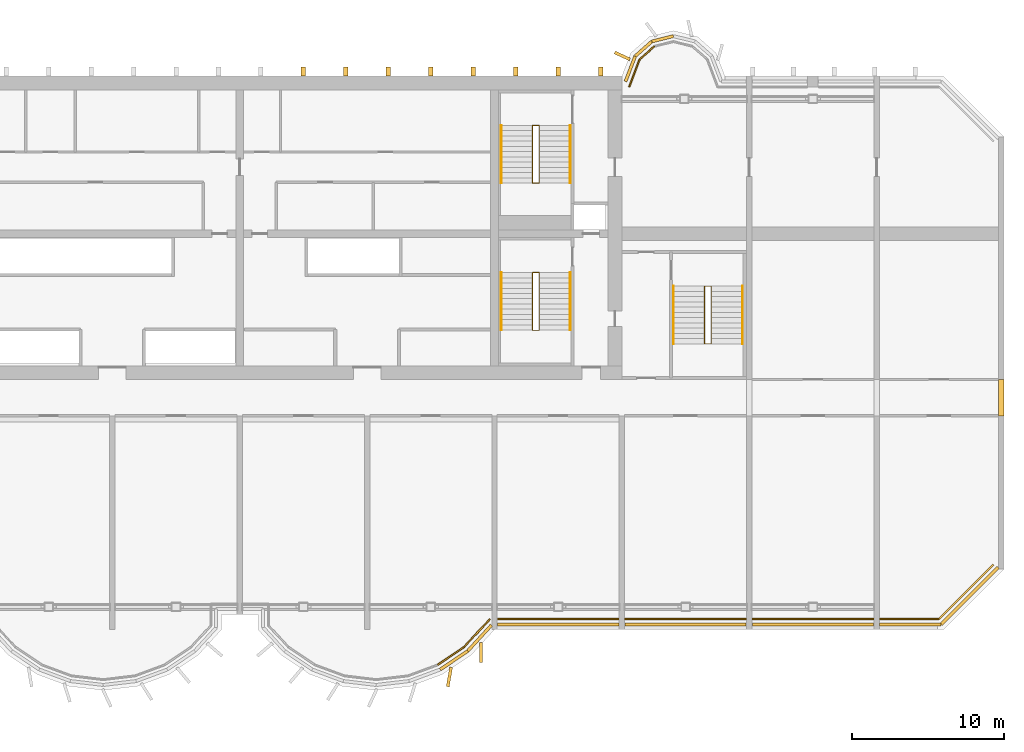
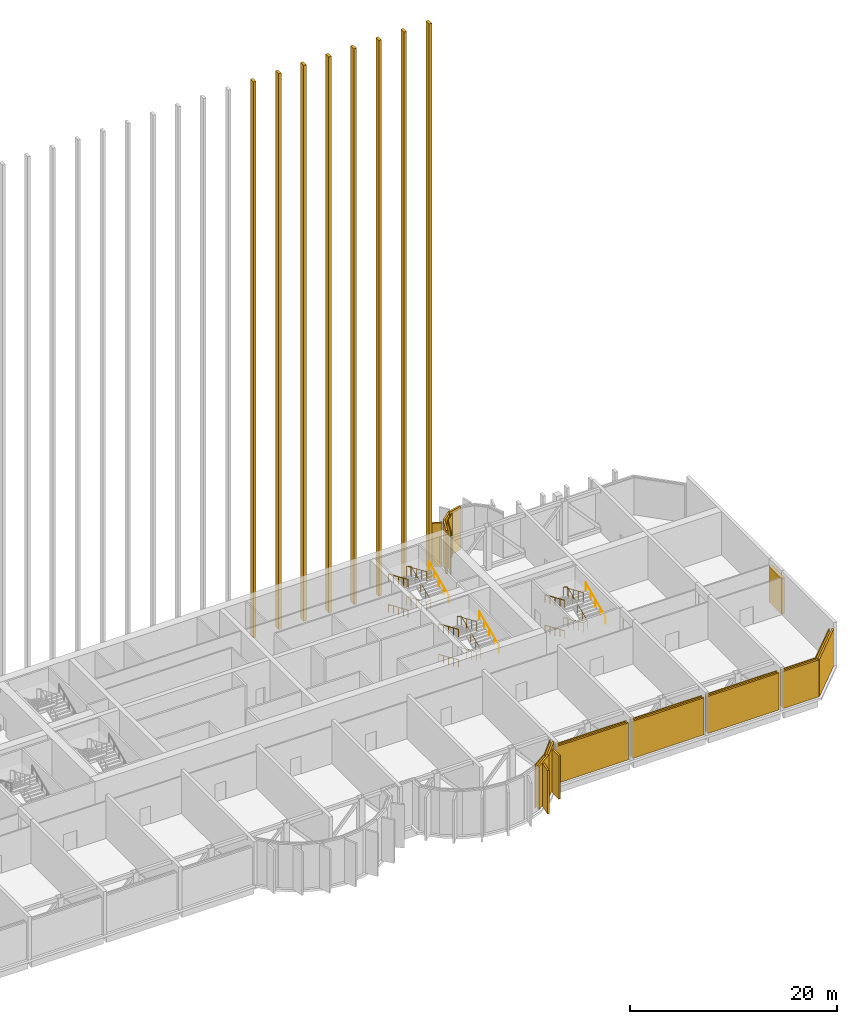
# One storey, part 16 of 17: 20 coverings, 12 railings, 11 shading devices.
"""IFC4 building model written with IfcOpenShell, lengths in metres."""

from ifc_helpers import new_model, si_unit, direction, frame, origin, origin_2d, place, context, subcontext, project, spatial, rectangle, circle, extrude, source, transform, mapped, material, layer, layer_set, material_profile, profile_set, type_object, element, save


model = new_model("IFC4")

# Units and contexts
model_context = context("Model", 3, precision=1e-05, world=origin(), true_north=direction((0.0, 1.0)))
body_context = subcontext(model_context, "Body", "Model", "MODEL_VIEW")
ifc_project = project(units=[si_unit("LENGTHUNIT", "METRE"), si_unit("AREAUNIT", "SQUARE_METRE"), si_unit("VOLUMEUNIT", "CUBIC_METRE"), si_unit("PLANEANGLEUNIT", "RADIAN"), si_unit("MASSUNIT", "GRAM", prefix="KILO")], contexts=[model_context])

# Site, building, storey
site_placement = place(None, origin())
site = spatial("IfcSite", under=ifc_project, at=site_placement, CompositionType="ELEMENT")
building_placement = place(site_placement, origin())
building = spatial("IfcBuilding", under=site, at=building_placement, Name="Vanashikhar Sky Hotel", CompositionType="ELEMENT")
storey_placement = place(building_placement, frame((0.0, 0.0, 140.800048828125)))
storey = spatial("IfcBuildingStorey", under=building, at=storey_placement, Name="L34", CompositionType="ELEMENT", Elevation=140.800048828125)

# Shading devices
ifc_material_1 = material(Name="Aluminium", Category="aluminium")
ifc_layer_1 = layer(ifc_material_1, 0.199951171875)
ifc_layer_set_1 = layer_set([ifc_layer_1], Name="Aluminium louvre band")
shading_device_type = type_object("IfcShadingDeviceType", Name="Aluminium louvre band", PredefinedType="USERDEFINED", material=ifc_layer_set_1)
shared_shape_1 = source(origin(), body_context, "Body", "SweptSolid", [
    extrude(rectangle(XDim=2.1875, YDim=0.199951171875, at=origin_2d()), origin(), (0.0, 0.0, 1.0), 5.1201171875),
])
shading_device_1_placement = place(storey_placement, frame((64.529541015625, 3.482421875, 0.0), z_axis=(0.0, 0.0, 1.0), x_axis=(0.829583722896, 0.558382348132, 0.0)))
element("IfcShadingDevice", 1, at=shading_device_1_placement, inside=storey, type_object=shading_device_type, Name="Louvre band", ObjectType="LOUVRE", PredefinedType="USERDEFINED", context=body_context, shape_type="MappedRepresentation", body=[
    mapped(shared_shape_1, transform((0.0, 0.0, 0.0), scale=1.0)),
])
shared_shape_2 = source(origin(), body_context, "Body", "SweptSolid", [
    extrude(rectangle(XDim=1.7900390625, YDim=0.199951171875, at=origin_2d()), origin(), (0.0, 0.0, 1.0), 5.1201171875),
])
shading_device_2_placement = place(storey_placement, frame((76.160888671875, 42.485595703125, 0.0), z_axis=(0.0, 0.0, 1.0), x_axis=(-0.35776499493, -0.933811655744, 0.0)))
element("IfcShadingDevice", 2, at=shading_device_2_placement, inside=storey, type_object=shading_device_type, Name="Louvre band", ObjectType="LOUVRE", PredefinedType="USERDEFINED", context=body_context, shape_type="MappedRepresentation", body=[
    mapped(shared_shape_2, transform((0.0, 0.0, 0.0), scale=1.0)),
])
shared_shape_3 = source(origin(), body_context, "Body", "SweptSolid", [
    extrude(rectangle(XDim=1.464599609375, YDim=0.199951171875, at=origin_2d()), origin(), (0.0, 0.0, 1.0), 5.1201171875),
])
shading_device_3_placement = place(storey_placement, frame((77.030029296875, 43.805908203125, 0.0), z_axis=(0.0, 0.0, 1.0), x_axis=(-0.749741606437, -0.661730703214, 0.0)))
element("IfcShadingDevice", 3, at=shading_device_3_placement, inside=storey, type_object=shading_device_type, Name="Louvre band", ObjectType="LOUVRE", PredefinedType="USERDEFINED", context=body_context, shape_type="MappedRepresentation", body=[
    mapped(shared_shape_3, transform((0.0, 0.0, 0.0), scale=1.0)),
])
shared_shape_4 = source(origin(), body_context, "Body", "SweptSolid", [
    extrude(rectangle(XDim=1.463134765625, YDim=0.199951171875, at=origin_2d()), origin(), (0.0, 0.0, 1.0), 5.1201171875),
])
shading_device_4_placement = place(storey_placement, frame((78.28955078125, 44.465087890625, 0.0), z_axis=(0.0, 0.0, 1.0), x_axis=(-0.97113427991, -0.238533457579, 0.0)))
element("IfcShadingDevice", 4, at=shading_device_4_placement, inside=storey, type_object=shading_device_type, Name="Louvre band", ObjectType="LOUVRE", PredefinedType="USERDEFINED", context=body_context, shape_type="MappedRepresentation", body=[
    mapped(shared_shape_4, transform((0.0, 0.0, 0.0), scale=1.0)),
])

# Coverings
ifc_material_2 = material(Name="Concrete M40", Category="concrete")
ifc_layer_2 = layer(ifc_material_2, 0.10009765625)
ifc_layer_set_2 = layer_set([ifc_layer_2], Name="Plant floor cladding panel")
covering_type_1 = type_object("IfcCoveringType", Name="Plant floor cladding panel", PredefinedType="CLADDING", material=ifc_layer_set_2)
shared_shape_5 = source(origin(), body_context, "Body", "SweptSolid", [
    extrude(rectangle(XDim=2.49462890625, YDim=0.10009765625, at=origin_2d()), origin(), (0.0, 0.0, 1.0), 5.1201171875),
])
covering_1_placement = place(storey_placement, frame((66.049560546875, 5.280029296875, 0.0), z_axis=(0.0, 0.0, 1.0), x_axis=(0.675384294604, 0.737465968437, 0.0)))
element("IfcCovering", 5, at=covering_1_placement, inside=storey, type_object=covering_type_1, Name="Plant floor cladding panel", PredefinedType="CLADDING", context=body_context, shape_type="MappedRepresentation", body=[
    mapped(shared_shape_5, transform((0.0, 0.0, 0.0), scale=1.0)),
])
shared_shape_6 = source(origin(), body_context, "Body", "SweptSolid", [
    extrude(rectangle(XDim=2.104248046875, YDim=0.10009765625, at=origin_2d()), origin(), (0.0, 0.0, 1.0), 5.1201171875),
])
covering_2_placement = place(storey_placement, frame((64.333984375, 3.772705078125, 0.0), z_axis=(0.0, 0.0, 1.0), x_axis=(0.829603213612, 0.558353389857, 0.0)))
element("IfcCovering", 6, at=covering_2_placement, inside=storey, type_object=covering_type_1, Name="Plant floor cladding panel", PredefinedType="CLADDING", context=body_context, shape_type="MappedRepresentation", body=[
    mapped(shared_shape_6, transform((0.0, 0.0, 0.0), scale=1.0)),
])
shared_shape_7 = source(origin(), body_context, "Body", "SweptSolid", [
    extrude(rectangle(XDim=5.076904296875, YDim=0.10009765625, at=origin_2d()), origin(), (0.0, 0.0, 1.0), 4.3701171875),
])
covering_3_placement = place(storey_placement, frame((98.304931640625, 7.994873046875, 0.0), z_axis=(0.0, 0.0, 1.0), x_axis=(0.707106781187, 0.707106781187, 0.0)))
element("IfcCovering", 7, at=covering_3_placement, inside=storey, type_object=covering_type_1, Name="Plant floor cladding panel", PredefinedType="CLADDING", context=body_context, shape_type="MappedRepresentation", body=[
    mapped(shared_shape_7, transform((0.0, 0.0, 0.0), scale=1.0)),
])
shared_shape_8 = source(origin(), body_context, "Body", "SweptSolid", [
    extrude(rectangle(XDim=1.944580078125, YDim=0.10009765625, at=origin_2d()), origin(), (0.0, 0.0, 1.0), 5.1201171875),
])
covering_4_placement = place(storey_placement, frame((76.42919921875, 42.2080078125, 0.0), z_axis=(0.0, 0.0, 1.0), x_axis=(-0.357781292963, -0.933805411425, 0.0)))
element("IfcCovering", 8, at=covering_4_placement, inside=storey, type_object=covering_type_1, Name="Plant floor cladding panel", PredefinedType="CLADDING", context=body_context, shape_type="MappedRepresentation", body=[
    mapped(shared_shape_8, transform((0.0, 0.0, 0.0), scale=1.0)),
])
shared_shape_9 = source(origin(), body_context, "Body", "SweptSolid", [
    extrude(rectangle(XDim=1.29248046875, YDim=0.10009765625, at=origin_2d()), origin(), (0.0, 0.0, 1.0), 5.1201171875),
])
covering_5_placement = place(storey_placement, frame((77.26171875, 43.543701171875, 0.0), z_axis=(0.0, 0.0, 1.0), x_axis=(-0.749683856685, -0.661796127993, 0.0)))
element("IfcCovering", 9, at=covering_5_placement, inside=storey, type_object=covering_type_1, Name="Plant floor cladding panel", PredefinedType="CLADDING", context=body_context, shape_type="MappedRepresentation", body=[
    mapped(shared_shape_9, transform((0.0, 0.0, 0.0), scale=1.0)),
])

# Shading devices
shared_shape_10 = source(origin(), body_context, "Body", "SweptSolid", [
    extrude(rectangle(XDim=4.050048828125, YDim=0.199951171875, at=origin_2d()), origin(), (0.0, 0.0, 1.0), 4.3701171875),
])
shading_device_5_placement = place(storey_placement, frame((94.6298828125, 5.85009765625, 0.0), z_axis=(0.0, 0.0, 1.0), x_axis=(1.0, 0.0, 0.0)))
element("IfcShadingDevice", 10, at=shading_device_5_placement, inside=storey, type_object=shading_device_type, Name="Louvre band", ObjectType="LOUVRE", PredefinedType="USERDEFINED", context=body_context, shape_type="MappedRepresentation", body=[
    mapped(shared_shape_10, transform((0.0, 0.0, 0.0), scale=1.0)),
])
shared_shape_11 = source(origin(), body_context, "Body", "SweptSolid", [
    extrude(rectangle(XDim=7.989990234375, YDim=0.199951171875, at=origin_2d()), origin(), (0.0, 0.0, 1.0), 4.3701171875),
])
for number, where, z_axis, x_axis, name in (
    (11, (71.39990234375, 5.85009765625, 0.0), (0.0, 0.0, 1.0), (1.0, 0.0, 0.0), "Louvre band"),
    (12, (79.800048828125, 5.85009765625, 0.0), (0.0, 0.0, 1.0), (1.0, 0.0, 0.0), "Louvre band"),
    (13, (88.199951171875, 5.85009765625, 0.0), (0.0, 0.0, 1.0), (1.0, 0.0, 0.0), "Louvre band"),
):
    element("IfcShadingDevice", number, at=place(storey_placement, frame(where, z_axis=z_axis, x_axis=x_axis)), inside=storey, type_object=shading_device_type, Name=name, ObjectType="LOUVRE", PredefinedType="USERDEFINED", context=body_context, shape_type="MappedRepresentation", body=[
        mapped(shared_shape_11, transform((0.0, 0.0, 0.0), scale=1.0)),
    ])
shared_shape_12 = source(origin(), body_context, "Body", "SweptSolid", [
    extrude(rectangle(XDim=2.306884765625, YDim=0.199951171875, at=origin_2d()), origin(), (0.0, 0.0, 1.0), 5.1201171875),
])
shading_device_6_placement = place(storey_placement, frame((66.216064453125, 4.94384765625, 0.0), z_axis=(0.0, 0.0, 1.0), x_axis=(0.675358551774, 0.737489543347, 0.0)))
element("IfcShadingDevice", 14, at=shading_device_6_placement, inside=storey, type_object=shading_device_type, Name="Louvre band", ObjectType="LOUVRE", PredefinedType="USERDEFINED", context=body_context, shape_type="MappedRepresentation", body=[
    mapped(shared_shape_12, transform((0.0, 0.0, 0.0), scale=1.0)),
])
shared_shape_13 = source(origin(), body_context, "Body", "SweptSolid", [
    extrude(rectangle(XDim=5.324462890625, YDim=0.199951171875, at=origin_2d()), origin(), (0.0, 0.0, 1.0), 4.3701171875),
])
shading_device_7_placement = place(storey_placement, frame((98.53759765625, 7.732421875, 0.0), z_axis=(0.0, 0.0, 1.0), x_axis=(0.707106781187, 0.707106781187, 0.0)))
element("IfcShadingDevice", 15, at=shading_device_7_placement, inside=storey, type_object=shading_device_type, Name="Louvre band", ObjectType="LOUVRE", PredefinedType="USERDEFINED", context=body_context, shape_type="MappedRepresentation", body=[
    mapped(shared_shape_13, transform((0.0, 0.0, 0.0), scale=1.0)),
])

# Coverings
shared_shape_14 = source(origin(), body_context, "Body", "SweptSolid", [
    extrude(rectangle(XDim=3.905029296875, YDim=0.10009765625, at=origin_2d()), origin(), (0.0, 0.0, 1.0), 4.3701171875),
])
covering_6_placement = place(storey_placement, frame((94.5576171875, 6.199951171875, 0.0), z_axis=(0.0, 0.0, 1.0), x_axis=(1.0, 0.0, 0.0)))
element("IfcCovering", 16, at=covering_6_placement, inside=storey, type_object=covering_type_1, Name="Plant floor cladding panel", PredefinedType="CLADDING", context=body_context, shape_type="MappedRepresentation", body=[
    mapped(shared_shape_14, transform((0.0, 0.0, 0.0), scale=1.0)),
])
shared_shape_15 = source(origin(), body_context, "Body", "SweptSolid", [
    extrude(rectangle(XDim=7.989990234375, YDim=0.10009765625, at=origin_2d()), origin(), (0.0, 0.0, 1.0), 4.3701171875),
])
for number, where, z_axis, x_axis, name in (
    (17, (71.39990234375, 6.199951171875, 0.0), (0.0, 0.0, 1.0), (1.0, 0.0, 0.0), "Plant floor cladding panel"),
    (18, (79.800048828125, 6.199951171875, 0.0), (0.0, 0.0, 1.0), (1.0, 0.0, 0.0), "Plant floor cladding panel"),
    (19, (88.199951171875, 6.199951171875, 0.0), (0.0, 0.0, 1.0), (1.0, 0.0, 0.0), "Plant floor cladding panel"),
):
    element("IfcCovering", number, at=place(storey_placement, frame(where, z_axis=z_axis, x_axis=x_axis)), inside=storey, type_object=covering_type_1, Name=name, PredefinedType="CLADDING", context=body_context, shape_type="MappedRepresentation", body=[
        mapped(shared_shape_15, transform((0.0, 0.0, 0.0), scale=1.0)),
    ])

# Shading device
shared_shape_16 = source(origin(), body_context, "Body", "SweptSolid", [
    extrude(rectangle(XDim=0.35009765625, YDim=2.39990234375, at=origin_2d()), origin(), (0.0, 0.0, 1.0), 4.219970703125),
])
shading_device_8_placement = place(storey_placement, frame((100.625, 20.800048828125, 0.0), z_axis=(0.0, 0.0, 1.0), x_axis=(1.0, 0.0, 0.0)))
element("IfcShadingDevice", 20, at=shading_device_8_placement, inside=storey, type_object=shading_device_type, Name="Louvre band", ObjectType="LOUVRE", PredefinedType="USERDEFINED", context=body_context, shape_type="MappedRepresentation", body=[
    mapped(shared_shape_16, transform((0.0, 0.0, 0.0), scale=1.0)),
])

# Coverings
ifc_material_3 = material(Name="Concrete M60 dark", Category="concrete")
ifc_material_profile_1 = material_profile(ifc_material_3, rectangle(XDim=1.300048828125, YDim=0.199951171875, at=origin_2d()))
ifc_profile_set_1 = profile_set([ifc_material_profile_1], Name="Fin 1300 x 200")
covering_type_2 = type_object("IfcCoveringType", Name="Fin 1300 x 200", PredefinedType="CLADDING", material=ifc_profile_set_1)
shared_shape_17 = source(origin(), body_context, "Body", "SweptSolid", [
    extrude(rectangle(XDim=1.300048828125, YDim=0.199951171875, at=origin_2d()), origin(), (0.0, 0.0, 1.0), 5.119873046875),
])
for number, where, z_axis, x_axis, name in (
    (21, (64.2275390625, 2.3779296875, 0.0), (0.0, 0.0, 1.0), (-0.16989991575, -0.985461322746, 0.0), "Fin F2-6"),
    (22, (66.317626953125, 3.992919921875, 0.0), (0.0, 0.0, 1.0), (-0.011588726826, -0.999932848451, 0.0), "Fin F2-7"),
):
    element("IfcCovering", number, at=place(storey_placement, frame(where, z_axis=z_axis, x_axis=x_axis)), inside=storey, type_object=covering_type_2, Name=name, PredefinedType="CLADDING", context=body_context, shape_type="MappedRepresentation", body=[
        mapped(shared_shape_17, transform((0.0, 0.0, 0.0), scale=1.0)),
    ])
ifc_material_profile_2 = material_profile(ifc_material_3, rectangle(XDim=1.10009765625, YDim=0.199951171875, at=origin_2d()))
ifc_profile_set_2 = profile_set([ifc_material_profile_2], Name="Rear lobe fin 1100 x 200")
covering_type_3 = type_object("IfcCoveringType", Name="Rear lobe fin 1100 x 200", PredefinedType="CLADDING", material=ifc_profile_set_2)
shared_shape_18 = source(origin(), body_context, "Body", "SweptSolid", [
    extrude(rectangle(XDim=1.10009765625, YDim=0.199951171875, at=origin_2d()), origin(), (0.0, 0.0, 1.0), 5.119873046875),
])
covering_7_placement = place(storey_placement, frame((75.63037109375, 43.33447265625, 0.0), z_axis=(0.0, 0.0, 1.0), x_axis=(-0.908004291068, 0.418960866193, 0.0)))
element("IfcCovering", 23, at=covering_7_placement, inside=storey, type_object=covering_type_3, Name="Fin R2-1", PredefinedType="CLADDING", context=body_context, shape_type="MappedRepresentation", body=[
    mapped(shared_shape_18, transform((0.0, 0.0, 0.0), scale=1.0)),
])
ifc_material_profile_3 = material_profile(ifc_material_3, rectangle(XDim=0.60009765625, YDim=0.300048828125, at=origin_2d()))
ifc_profile_set_3 = profile_set([ifc_material_profile_3], Name="Rear rib 600 x 300")
covering_type_4 = type_object("IfcCoveringType", Name="Rear rib 600 x 300", PredefinedType="CLADDING", material=ifc_profile_set_3)
shared_shape_19 = source(origin(), body_context, "Body", "SweptSolid", [
    extrude(rectangle(XDim=0.60009765625, YDim=0.300048828125, at=origin_2d()), origin(), (0.0, 0.0, 1.0), 65.60009765625),
])
for number, where, z_axis, x_axis, name in (
    (24, (54.60009765625, 42.300048828125, -0.280029296875), (0.0, 0.0, 1.0), (0.0, 1.0, 0.0), "Rear rib"),
    (25, (57.39990234375, 42.300048828125, -0.280029296875), (0.0, 0.0, 1.0), (0.0, 1.0, 0.0), "Rear rib"),
    (26, (60.199951171875, 42.300048828125, -0.280029296875), (0.0, 0.0, 1.0), (0.0, 1.0, 0.0), "Rear rib"),
    (27, (63.0, 42.300048828125, -0.280029296875), (0.0, 0.0, 1.0), (0.0, 1.0, 0.0), "Rear rib"),
    (28, (65.800048828125, 42.300048828125, -0.280029296875), (0.0, 0.0, 1.0), (0.0, 1.0, 0.0), "Rear rib"),
    (29, (68.60009765625, 42.300048828125, -0.280029296875), (0.0, 0.0, 1.0), (0.0, 1.0, 0.0), "Rear rib"),
    (30, (71.39990234375, 42.300048828125, -0.280029296875), (0.0, 0.0, 1.0), (0.0, 1.0, 0.0), "Rear rib"),
    (31, (74.199951171875, 42.300048828125, -0.280029296875), (0.0, 0.0, 1.0), (0.0, 1.0, 0.0), "Rear rib"),
):
    element("IfcCovering", number, at=place(storey_placement, frame(where, z_axis=z_axis, x_axis=x_axis)), inside=storey, type_object=covering_type_4, Name=name, PredefinedType="CLADDING", context=body_context, shape_type="MappedRepresentation", body=[
        mapped(shared_shape_19, transform((0.0, 0.0, 0.0), scale=1.0)),
    ])

# Railings
ifc_material_4 = material(Name="Steel S355", Category="steel")
railing_type_1 = type_object("IfcRailingType", Name="Stair handrail 900", PredefinedType="HANDRAIL", material=ifc_material_4)
shared_shape_20 = source(origin(), body_context, "Body", "SweptSolid", [
    extrude(circle(Radius=0.02392578125, at=origin_2d()), frame((0.0, 0.0, 0.8759765625), z_axis=(0.0, -0.917250781605, 0.398310185215), x_axis=(1.0, 0.0, 0.0)), (0.0, 0.0, 1.0), 4.142822265625),
    extrude(circle(Radius=0.02099609375, at=origin_2d()), origin(), (0.0, 0.0, 1.0), 0.851806640625),
    extrude(circle(Radius=0.02099609375, at=origin_2d()), frame((0.0, -0.949951171875, 0.41259765625)), (0.0, 0.0, 1.0), 0.851806640625),
    extrude(circle(Radius=0.02099609375, at=origin_2d()), frame((0.0, -1.89990234375, 0.8251953125)), (0.0, 0.0, 1.0), 0.851806640625),
    extrude(circle(Radius=0.02099609375, at=origin_2d()), frame((0.0, -2.85009765625, 1.237548828125)), (0.0, 0.0, 1.0), 0.851806640625),
    extrude(circle(Radius=0.02099609375, at=origin_2d()), frame((0.0, -3.800048828125, 1.650146484375)), (0.0, 0.0, 1.0), 0.851806640625),
])
for number, where, name in (
    (32, (67.64990234375, 29.050048828125, 0.14990234375), "Exit stair 2 handrail"),
    (33, (67.64990234375, 38.75, 0.14990234375), "Exit stair 6 handrail"),
):
    element("IfcRailing", number, at=place(storey_placement, frame(where)), inside=storey, type_object=railing_type_1, Name=name, PredefinedType="HANDRAIL", context=body_context, shape_type="MappedRepresentation", body=[
        mapped(shared_shape_20, transform((0.0, 0.0, 0.0), scale=1.0)),
    ])
shared_shape_21 = source(origin(), body_context, "Body", "SweptSolid", [
    extrude(circle(Radius=0.02392578125, at=origin_2d()), frame((0.0, 0.0, 0.8759765625), z_axis=(0.0, -0.91727231099, 0.398260602484), x_axis=(1.0, 0.0, 0.0)), (0.0, 0.0, 1.0), 4.142822265625),
    extrude(circle(Radius=0.02099609375, at=origin_2d()), origin(), (0.0, 0.0, 1.0), 0.851806640625),
    extrude(circle(Radius=0.02099609375, at=origin_2d()), frame((0.0, -0.949951171875, 0.41259765625)), (0.0, 0.0, 1.0), 0.851806640625),
    extrude(circle(Radius=0.02099609375, at=origin_2d()), frame((0.0, -1.89990234375, 0.824951171875)), (0.0, 0.0, 1.0), 0.851806640625),
    extrude(circle(Radius=0.02099609375, at=origin_2d()), frame((0.0, -2.85009765625, 1.2373046875)), (0.0, 0.0, 1.0), 0.851806640625),
    extrude(circle(Radius=0.02099609375, at=origin_2d()), frame((0.0, -3.800048828125, 1.64990234375)), (0.0, 0.0, 1.0), 0.851806640625),
])
for number, where, name in (
    (34, (67.64990234375, 29.050048828125, 3.75), "Exit stair 2 handrail"),
    (35, (67.64990234375, 38.75, 3.75), "Exit stair 6 handrail"),
):
    element("IfcRailing", number, at=place(storey_placement, frame(where)), inside=storey, type_object=railing_type_1, Name=name, PredefinedType="HANDRAIL", context=body_context, shape_type="MappedRepresentation", body=[
        mapped(shared_shape_21, transform((0.0, 0.0, 0.0), scale=1.0)),
    ])
shared_shape_22 = source(origin(), body_context, "Body", "SweptSolid", [
    extrude(circle(Radius=0.02392578125, at=origin_2d()), frame((0.0, 0.0, 0.8759765625), z_axis=(0.0, 0.91727231099, 0.398260602484), x_axis=(-1.0, 0.0, 0.0)), (0.0, 0.0, 1.0), 4.142822265625),
    extrude(circle(Radius=0.02099609375, at=origin_2d()), origin(), (0.0, 0.0, 1.0), 0.851806640625),
    extrude(circle(Radius=0.02099609375, at=origin_2d()), frame((0.0, 0.949951171875, 0.41259765625)), (0.0, 0.0, 1.0), 0.851806640625),
    extrude(circle(Radius=0.02099609375, at=origin_2d()), frame((0.0, 1.89990234375, 0.824951171875)), (0.0, 0.0, 1.0), 0.851806640625),
    extrude(circle(Radius=0.02099609375, at=origin_2d()), frame((0.0, 2.85009765625, 1.2373046875)), (0.0, 0.0, 1.0), 0.851806640625),
    extrude(circle(Radius=0.02099609375, at=origin_2d()), frame((0.0, 3.800048828125, 1.64990234375)), (0.0, 0.0, 1.0), 0.851806640625),
])
for number, where, name in (
    (36, (72.199951171875, 25.25, 1.949951171875), "Exit stair 2 handrail"),
    (37, (72.199951171875, 34.949951171875, 1.949951171875), "Exit stair 6 handrail"),
):
    element("IfcRailing", number, at=place(storey_placement, frame(where)), inside=storey, type_object=railing_type_1, Name=name, PredefinedType="HANDRAIL", context=body_context, shape_type="MappedRepresentation", body=[
        mapped(shared_shape_22, transform((0.0, 0.0, 0.0), scale=1.0)),
    ])
railing_type_2 = type_object("IfcRailingType", Name="Stair guard 1100", PredefinedType="GUARDRAIL", material=ifc_material_4)
shared_shape_23 = source(origin(), body_context, "Body", "SweptSolid", [
    extrude(circle(Radius=0.02392578125, at=origin_2d()), frame((0.0, 0.0, 1.076171875), z_axis=(-0.948734763221, 0.0, 0.316073328604), x_axis=(0.0, -1.0, 0.0)), (0.0, 0.0, 1.0), 0.474365234375),
    extrude(circle(Radius=0.02392578125, at=origin_2d()), frame((-0.449951171875, 0.0, 1.22607421875), z_axis=(0.0, -0.917250781605, 0.398310185215), x_axis=(1.0, 0.0, 0.0)), (0.0, 0.0, 1.0), 4.142822265625),
    extrude(circle(Radius=0.02392578125, at=origin_2d()), frame((-0.449951171875, -3.800048828125, 2.8759765625), z_axis=(0.948734763221, 0.0, 0.316073328604), x_axis=(0.0, 1.0, 0.0)), (0.0, 0.0, 1.0), 0.474365234375),
    extrude(circle(Radius=0.02392578125, at=origin_2d()), frame((0.0, -3.800048828125, 3.02587890625), z_axis=(0.0, 0.91727231099, 0.398260602484), x_axis=(-1.0, 0.0, 0.0)), (0.0, 0.0, 1.0), 4.142822265625),
    extrude(circle(Radius=0.02392578125, at=origin_2d()), frame((0.0, 0.0, 4.67578125), z_axis=(-0.948580309067, 0.0, 0.316536565424), x_axis=(0.0, -1.0, 0.0)), (0.0, 0.0, 1.0), 0.474365234375),
    extrude(circle(Radius=0.02392578125, at=origin_2d()), frame((-0.449951171875, 0.0, 4.826171875), z_axis=(0.0, -0.91727231099, 0.398260602484), x_axis=(1.0, 0.0, 0.0)), (0.0, 0.0, 1.0), 4.142822265625),
    extrude(circle(Radius=0.02099609375, at=origin_2d()), origin(), (0.0, 0.0, 1.0), 1.052001953125),
    extrude(circle(Radius=0.02099609375, at=origin_2d()), frame((-0.449951171875, 0.0, 0.14990234375)), (0.0, 0.0, 1.0), 1.052001953125),
    extrude(circle(Radius=0.02099609375, at=origin_2d()), frame((-0.449951171875, -0.949951171875, 0.5625)), (0.0, 0.0, 1.0), 1.052001953125),
    extrude(circle(Radius=0.02099609375, at=origin_2d()), frame((-0.449951171875, -1.89990234375, 0.97509765625)), (0.0, 0.0, 1.0), 1.052001953125),
    extrude(circle(Radius=0.02099609375, at=origin_2d()), frame((-0.449951171875, -2.85009765625, 1.387451171875)), (0.0, 0.0, 1.0), 1.052001953125),
    extrude(circle(Radius=0.02099609375, at=origin_2d()), frame((-0.449951171875, -3.800048828125, 1.800048828125)), (0.0, 0.0, 1.0), 1.052001953125),
    extrude(circle(Radius=0.02099609375, at=origin_2d()), frame((0.0, -3.800048828125, 1.949951171875)), (0.0, 0.0, 1.0), 1.052001953125),
    extrude(circle(Radius=0.02099609375, at=origin_2d()), frame((0.0, -2.85009765625, 2.3623046875)), (0.0, 0.0, 1.0), 1.052001953125),
    extrude(circle(Radius=0.02099609375, at=origin_2d()), frame((0.0, -1.89990234375, 2.77490234375)), (0.0, 0.0, 1.0), 1.052001953125),
    extrude(circle(Radius=0.02099609375, at=origin_2d()), frame((0.0, -0.949951171875, 3.1875)), (0.0, 0.0, 1.0), 1.052001953125),
    extrude(circle(Radius=0.02099609375, at=origin_2d()), frame((0.0, 0.0, 3.599853515625)), (0.0, 0.0, 1.0), 1.052001953125),
    extrude(circle(Radius=0.02099609375, at=origin_2d()), frame((-0.449951171875, 0.0, 3.75)), (0.0, 0.0, 1.0), 1.052001953125),
    extrude(circle(Radius=0.02099609375, at=origin_2d()), frame((-0.449951171875, -0.949951171875, 4.16259765625)), (0.0, 0.0, 1.0), 1.052001953125),
    extrude(circle(Radius=0.02099609375, at=origin_2d()), frame((-0.449951171875, -1.89990234375, 4.574951171875)), (0.0, 0.0, 1.0), 1.052001953125),
    extrude(circle(Radius=0.02099609375, at=origin_2d()), frame((-0.449951171875, -2.85009765625, 4.9873046875)), (0.0, 0.0, 1.0), 1.052001953125),
    extrude(circle(Radius=0.02099609375, at=origin_2d()), frame((-0.449951171875, -3.800048828125, 5.39990234375)), (0.0, 0.0, 1.0), 1.052001953125),
])
for number, where, name in (
    (38, (70.14990234375, 29.050048828125, 0.0), "Exit stair 2 guard"),
    (39, (70.14990234375, 38.75, 0.0), "Exit stair 6 guard"),
):
    element("IfcRailing", number, at=place(storey_placement, frame(where)), inside=storey, type_object=railing_type_2, Name=name, PredefinedType="GUARDRAIL", context=body_context, shape_type="MappedRepresentation", body=[
        mapped(shared_shape_23, transform((0.0, 0.0, 0.0), scale=1.0)),
    ])
shared_shape_24 = source(origin(), body_context, "Body", "SweptSolid", [
    extrude(circle(Radius=0.02392578125, at=origin_2d()), frame((0.0, 0.0, 0.8759765625), z_axis=(0.0, -0.917241431489, 0.398331716489), x_axis=(1.0, 0.0, 0.0)), (0.0, 0.0, 1.0), 4.142578125),
    extrude(circle(Radius=0.02099609375, at=origin_2d()), origin(), (0.0, 0.0, 1.0), 0.851806640625),
    extrude(circle(Radius=0.02099609375, at=origin_2d()), frame((0.0, -0.949951171875, 0.41259765625)), (0.0, 0.0, 1.0), 0.851806640625),
    extrude(circle(Radius=0.02099609375, at=origin_2d()), frame((0.0, -1.89990234375, 0.8251953125)), (0.0, 0.0, 1.0), 0.851806640625),
    extrude(circle(Radius=0.02099609375, at=origin_2d()), frame((0.0, -2.849853515625, 1.237548828125)), (0.0, 0.0, 1.0), 0.851806640625),
    extrude(circle(Radius=0.02099609375, at=origin_2d()), frame((0.0, -3.7998046875, 1.650146484375)), (0.0, 0.0, 1.0), 0.851806640625),
])
railing_1_placement = place(storey_placement, frame((79.0, 28.14990234375, 0.14990234375)))
element("IfcRailing", 40, at=railing_1_placement, inside=storey, type_object=railing_type_1, Name="Exit stair 4 handrail", PredefinedType="HANDRAIL", context=body_context, shape_type="MappedRepresentation", body=[
    mapped(shared_shape_24, transform((0.0, 0.0, 0.0), scale=1.0)),
])
shared_shape_25 = source(origin(), body_context, "Body", "SweptSolid", [
    extrude(circle(Radius=0.02392578125, at=origin_2d()), frame((0.0, 0.0, 0.8759765625), z_axis=(0.0, -0.917262962982, 0.398282132089), x_axis=(1.0, 0.0, 0.0)), (0.0, 0.0, 1.0), 4.142578125),
    extrude(circle(Radius=0.02099609375, at=origin_2d()), origin(), (0.0, 0.0, 1.0), 0.851806640625),
    extrude(circle(Radius=0.02099609375, at=origin_2d()), frame((0.0, -0.949951171875, 0.41259765625)), (0.0, 0.0, 1.0), 0.851806640625),
    extrude(circle(Radius=0.02099609375, at=origin_2d()), frame((0.0, -1.89990234375, 0.824951171875)), (0.0, 0.0, 1.0), 0.851806640625),
    extrude(circle(Radius=0.02099609375, at=origin_2d()), frame((0.0, -2.849853515625, 1.2373046875)), (0.0, 0.0, 1.0), 0.851806640625),
    extrude(circle(Radius=0.02099609375, at=origin_2d()), frame((0.0, -3.7998046875, 1.64990234375)), (0.0, 0.0, 1.0), 0.851806640625),
])
railing_2_placement = place(storey_placement, frame((79.0, 28.14990234375, 3.75)))
element("IfcRailing", 41, at=railing_2_placement, inside=storey, type_object=railing_type_1, Name="Exit stair 4 handrail", PredefinedType="HANDRAIL", context=body_context, shape_type="MappedRepresentation", body=[
    mapped(shared_shape_25, transform((0.0, 0.0, 0.0), scale=1.0)),
])
shared_shape_26 = source(origin(), body_context, "Body", "SweptSolid", [
    extrude(circle(Radius=0.02392578125, at=origin_2d()), frame((0.0, 0.0, 0.8759765625), z_axis=(0.0, 0.917262962982, 0.398282132089), x_axis=(-1.0, 0.0, 0.0)), (0.0, 0.0, 1.0), 4.142578125),
    extrude(circle(Radius=0.02099609375, at=origin_2d()), origin(), (0.0, 0.0, 1.0), 0.851806640625),
    extrude(circle(Radius=0.02099609375, at=origin_2d()), frame((0.0, 0.949951171875, 0.41259765625)), (0.0, 0.0, 1.0), 0.851806640625),
    extrude(circle(Radius=0.02099609375, at=origin_2d()), frame((0.0, 1.89990234375, 0.824951171875)), (0.0, 0.0, 1.0), 0.851806640625),
    extrude(circle(Radius=0.02099609375, at=origin_2d()), frame((0.0, 2.849853515625, 1.2373046875)), (0.0, 0.0, 1.0), 0.851806640625),
    extrude(circle(Radius=0.02099609375, at=origin_2d()), frame((0.0, 3.7998046875, 1.64990234375)), (0.0, 0.0, 1.0), 0.851806640625),
])
railing_3_placement = place(storey_placement, frame((83.550048828125, 24.35009765625, 1.949951171875)))
element("IfcRailing", 42, at=railing_3_placement, inside=storey, type_object=railing_type_1, Name="Exit stair 4 handrail", PredefinedType="HANDRAIL", context=body_context, shape_type="MappedRepresentation", body=[
    mapped(shared_shape_26, transform((0.0, 0.0, 0.0), scale=1.0)),
])
shared_shape_27 = source(origin(), body_context, "Body", "SweptSolid", [
    extrude(circle(Radius=0.02392578125, at=origin_2d()), frame((0.0, 0.0, 1.076171875), z_axis=(-0.948734763221, 0.0, 0.316073328604), x_axis=(0.0, -1.0, 0.0)), (0.0, 0.0, 1.0), 0.474365234375),
    extrude(circle(Radius=0.02392578125, at=origin_2d()), frame((-0.449951171875, 0.0, 1.22607421875), z_axis=(0.0, -0.917241431489, 0.398331716489), x_axis=(1.0, 0.0, 0.0)), (0.0, 0.0, 1.0), 4.142578125),
    extrude(circle(Radius=0.02392578125, at=origin_2d()), frame((-0.449951171875, -3.7998046875, 2.8759765625), z_axis=(0.948734763221, 0.0, 0.316073328604), x_axis=(0.0, 1.0, 0.0)), (0.0, 0.0, 1.0), 0.474365234375),
    extrude(circle(Radius=0.02392578125, at=origin_2d()), frame((0.0, -3.7998046875, 3.02587890625), z_axis=(0.0, 0.917262962982, 0.398282132089), x_axis=(-1.0, 0.0, 0.0)), (0.0, 0.0, 1.0), 4.142578125),
    extrude(circle(Radius=0.02392578125, at=origin_2d()), frame((0.0, 0.0, 4.67578125), z_axis=(-0.948580309067, 0.0, 0.316536565424), x_axis=(0.0, -1.0, 0.0)), (0.0, 0.0, 1.0), 0.474365234375),
    extrude(circle(Radius=0.02392578125, at=origin_2d()), frame((-0.449951171875, 0.0, 4.826171875), z_axis=(0.0, -0.917262962982, 0.398282132089), x_axis=(1.0, 0.0, 0.0)), (0.0, 0.0, 1.0), 4.142578125),
    extrude(circle(Radius=0.02099609375, at=origin_2d()), origin(), (0.0, 0.0, 1.0), 1.052001953125),
    extrude(circle(Radius=0.02099609375, at=origin_2d()), frame((-0.449951171875, 0.0, 0.14990234375)), (0.0, 0.0, 1.0), 1.052001953125),
    extrude(circle(Radius=0.02099609375, at=origin_2d()), frame((-0.449951171875, -0.949951171875, 0.5625)), (0.0, 0.0, 1.0), 1.052001953125),
    extrude(circle(Radius=0.02099609375, at=origin_2d()), frame((-0.449951171875, -1.89990234375, 0.97509765625)), (0.0, 0.0, 1.0), 1.052001953125),
    extrude(circle(Radius=0.02099609375, at=origin_2d()), frame((-0.449951171875, -2.849853515625, 1.387451171875)), (0.0, 0.0, 1.0), 1.052001953125),
    extrude(circle(Radius=0.02099609375, at=origin_2d()), frame((-0.449951171875, -3.7998046875, 1.800048828125)), (0.0, 0.0, 1.0), 1.052001953125),
    extrude(circle(Radius=0.02099609375, at=origin_2d()), frame((0.0, -3.7998046875, 1.949951171875)), (0.0, 0.0, 1.0), 1.052001953125),
    extrude(circle(Radius=0.02099609375, at=origin_2d()), frame((0.0, -2.849853515625, 2.3623046875)), (0.0, 0.0, 1.0), 1.052001953125),
    extrude(circle(Radius=0.02099609375, at=origin_2d()), frame((0.0, -1.89990234375, 2.77490234375)), (0.0, 0.0, 1.0), 1.052001953125),
    extrude(circle(Radius=0.02099609375, at=origin_2d()), frame((0.0, -0.949951171875, 3.1875)), (0.0, 0.0, 1.0), 1.052001953125),
    extrude(circle(Radius=0.02099609375, at=origin_2d()), frame((0.0, 0.0, 3.599853515625)), (0.0, 0.0, 1.0), 1.052001953125),
    extrude(circle(Radius=0.02099609375, at=origin_2d()), frame((-0.449951171875, 0.0, 3.75)), (0.0, 0.0, 1.0), 1.052001953125),
    extrude(circle(Radius=0.02099609375, at=origin_2d()), frame((-0.449951171875, -0.949951171875, 4.16259765625)), (0.0, 0.0, 1.0), 1.052001953125),
    extrude(circle(Radius=0.02099609375, at=origin_2d()), frame((-0.449951171875, -1.89990234375, 4.574951171875)), (0.0, 0.0, 1.0), 1.052001953125),
    extrude(circle(Radius=0.02099609375, at=origin_2d()), frame((-0.449951171875, -2.849853515625, 4.9873046875)), (0.0, 0.0, 1.0), 1.052001953125),
    extrude(circle(Radius=0.02099609375, at=origin_2d()), frame((-0.449951171875, -3.7998046875, 5.39990234375)), (0.0, 0.0, 1.0), 1.052001953125),
])
railing_4_placement = place(storey_placement, frame((81.5, 28.14990234375, 0.0)))
element("IfcRailing", 43, at=railing_4_placement, inside=storey, type_object=railing_type_2, Name="Exit stair 4 guard", PredefinedType="GUARDRAIL", context=body_context, shape_type="MappedRepresentation", body=[
    mapped(shared_shape_27, transform((0.0, 0.0, 0.0), scale=1.0)),
])

save(model, "model.ifc")
